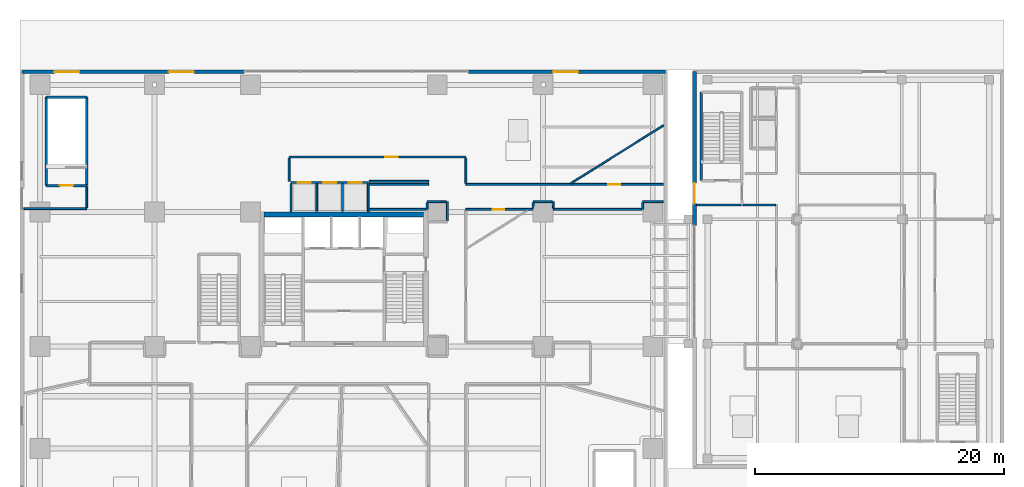
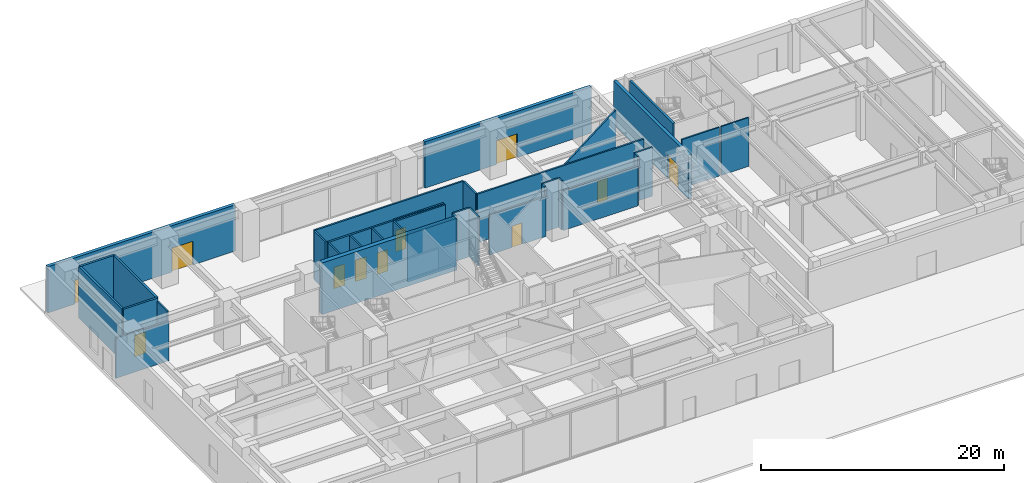
# One storey, part 21 of 28: 36 walls, 11 doors, 11 openings.
"""IFC4 building model written with IfcOpenShell, lengths in metres."""

from ifc_helpers import new_model, si_unit, direction, frame, frame_2d, origin, place, context, subcontext, project, spatial, rectangle, extrude, source, transform, mapped, material, layer, layer_set, type_object, type_shapes, element, fill, save


model = new_model("IFC4")

# Units and contexts
model_context = context("Model", 3, precision=1e-05, world=origin(), true_north=direction((0.0, 1.0)))
body_context = subcontext(model_context, "Body", "Model", "MODEL_VIEW")
ifc_project = project(units=[si_unit("LENGTHUNIT", "METRE"), si_unit("AREAUNIT", "SQUARE_METRE"), si_unit("VOLUMEUNIT", "CUBIC_METRE"), si_unit("PLANEANGLEUNIT", "RADIAN"), si_unit("MASSUNIT", "GRAM", prefix="KILO")], contexts=[model_context])

# Site, building, storey
site_placement = place(None, origin())
site = spatial("IfcSite", under=ifc_project, at=site_placement, CompositionType="ELEMENT")
building_placement = place(site_placement, origin())
building = spatial("IfcBuilding", under=site, at=building_placement, Name="Talar Marvaseh", CompositionType="ELEMENT")
storey_placement = place(building_placement, origin())
storey = spatial("IfcBuildingStorey", under=building, at=storey_placement, Name="L00", CompositionType="ELEMENT", Elevation=0.0)

# Wall, openings, doors
ifc_material_1 = material(Name="Precast concrete C45/55", Category="concrete")
ifc_layer_1 = layer(ifc_material_1, 0.31005859375)
ifc_layer_set_1 = layer_set([ifc_layer_1], Name="Precast concrete C45/55")
wall_type_1 = type_object("IfcWallType", Name="Architectural Precast Limestone Podium Facade Wall 310", PredefinedType="SOLIDWALL", material=ifc_layer_set_1)
wall_1_placement = place(storey_placement, frame((0.159912109375, 47.840087890625, 0.0), z_axis=(0.0, 0.0, 1.0), x_axis=(1.0, 0.0, 0.0)))
wall_1 = element("IfcWall", 1, at=wall_1_placement, inside=storey, type_object=wall_type_1, Name="L00 Podium North-West Facade Wall", PredefinedType="SOLIDWALL", context=body_context, shape_type="SweptSolid", body=[
    extrude(rectangle(XDim=17.840087890625, YDim=0.31005859375, at=frame_2d((8.919921875, 0.0))), origin(), (0.0, 0.0, 1.0), 4.64990234375),
])
opening_1_placement = place(wall_1_placement, frame((2.60009765625, 0.0, 0.0)))
opening_1 = element("IfcOpeningElement", 2, at=opening_1_placement, cuts=wall_1, Name="Opening DR-EXT20", PredefinedType="OPENING", context=body_context, shape_type="SweptSolid", body=[
    extrude(rectangle(XDim=2.0, YDim=2.39990234375, at=frame_2d((1.0, 1.199951171875))), frame((0.0, 0.1650390625, 0.0), z_axis=(0.0, -1.0, 0.0), x_axis=(1.0, 0.0, 0.0)), (0.0, 0.0, 1.0), 0.330078125),
])
opening_2_placement = place(wall_1_placement, frame((11.800048828125, 0.0, 0.0)))
opening_2 = element("IfcOpeningElement", 3, at=opening_2_placement, cuts=wall_1, Name="Opening DR-EXT20", PredefinedType="OPENING", context=body_context, shape_type="SweptSolid", body=[
    extrude(rectangle(XDim=2.0, YDim=2.39990234375, at=frame_2d((1.0, 1.199951171875))), frame((0.0, 0.1650390625, 0.0), z_axis=(0.0, -1.0, 0.0), x_axis=(1.0, 0.0, 0.0)), (0.0, 0.0, 1.0), 0.330078125),
])
ifc_material_2 = material(Name="Architectural Aluminium", Category="aluminium")
door_type_1 = type_object("IfcDoorType", Name="Ground Plaza Double Egress Entrance Door 2000x2400", OperationType="NOTDEFINED", PredefinedType="DOOR", material=ifc_material_2)
shared_shape_1 = source(origin(), body_context, "Body", "SweptSolid", [
    extrude(rectangle(XDim=2.0, YDim=2.39990234375, at=frame_2d((1.0, 1.199951171875))), frame((0.0, 0.02490234375, 0.0), z_axis=(0.0, -1.0, 0.0), x_axis=(1.0, 0.0, 0.0)), (0.0, 0.0, 1.0), 0.050048828125),
])
type_shapes(door_type_1, [shared_shape_1])
door_1_placement = place(opening_1_placement, origin())
door_1 = element("IfcDoor", 4, at=door_1_placement, inside=storey, type_object=door_type_1, Name="L00 Metro Station North-West Final Exit Door", OperationType="DOUBLE_DOOR_SINGLE_SWING", OverallHeight=2.39990234375, OverallWidth=2.0, PredefinedType="DOOR", context=body_context, shape_type="MappedRepresentation", body=[
    mapped(shared_shape_1, transform((0.0, 0.0, 0.0), x_axis=(1.0, 0.0, 0.0), y_axis=(0.0, 1.0, 0.0), z_axis=(0.0, 0.0, 1.0), scale=1.0)),
])
fill(opening_1, door_1)
door_2_placement = place(opening_2_placement, origin())
door_2 = element("IfcDoor", 5, at=door_2_placement, inside=storey, type_object=door_type_1, Name="L00 North Promenade Entrance Exit Door", OperationType="DOUBLE_DOOR_SINGLE_SWING", OverallHeight=2.39990234375, OverallWidth=2.0, PredefinedType="DOOR", context=body_context, shape_type="MappedRepresentation", body=[
    mapped(shared_shape_1, transform((0.0, 0.0, 0.0), x_axis=(1.0, 0.0, 0.0), y_axis=(0.0, 1.0, 0.0), z_axis=(0.0, 0.0, 1.0), scale=1.0)),
])
fill(opening_2, door_2)

# Wall, opening, door
wall_2_placement = place(storey_placement, frame((36.0, 47.840087890625, 0.0), z_axis=(0.0, 0.0, 1.0), x_axis=(1.0, 0.0, 0.0)))
wall_2 = element("IfcWall", 6, at=wall_2_placement, inside=storey, type_object=wall_type_1, Name="L00 Podium North-East Facade Wall", PredefinedType="SOLIDWALL", context=body_context, shape_type="SweptSolid", body=[
    extrude(rectangle(XDim=15.840087890625, YDim=0.31005859375, at=frame_2d((7.919921875, 0.0))), origin(), (0.0, 0.0, 1.0), 4.64990234375),
])
opening_3_placement = place(wall_2_placement, frame((6.800048828125, 0.0, 0.0)))
opening_3 = element("IfcOpeningElement", 7, at=opening_3_placement, cuts=wall_2, Name="Opening DR-EXT20", PredefinedType="OPENING", context=body_context, shape_type="SweptSolid", body=[
    extrude(rectangle(XDim=2.0, YDim=2.39990234375, at=frame_2d((1.0, 1.199951171875))), frame((0.0, 0.1650390625, 0.0), z_axis=(0.0, -1.0, 0.0), x_axis=(1.0, 0.0, 0.0)), (0.0, 0.0, 1.0), 0.330078125),
])
door_3_placement = place(opening_3_placement, origin())
door_3 = element("IfcDoor", 8, at=door_3_placement, inside=storey, type_object=door_type_1, Name="L00 North-East Concourse Plaza Exit Door", OperationType="DOUBLE_DOOR_SINGLE_SWING", OverallHeight=2.39990234375, OverallWidth=2.0, PredefinedType="DOOR", context=body_context, shape_type="MappedRepresentation", body=[
    mapped(shared_shape_1, transform((0.0, 0.0, 0.0), x_axis=(1.0, 0.0, 0.0), y_axis=(0.0, 1.0, 0.0), z_axis=(0.0, 0.0, 1.0), scale=1.0)),
])
fill(opening_3, door_3)

ifc_material_3 = material(Name="Gypsum Board Partition Assembly")
ifc_layer_2 = layer(ifc_material_3, 0.155029296875)
ifc_layer_set_2 = layer_set([ifc_layer_2], Name="Gypsum Board Partition Assembly")
wall_type_2 = type_object("IfcWallType", Name="Corridor Fire-Rated Acoustic Partition 155", PredefinedType="PARTITIONING", material=ifc_layer_set_2)
wall_3_placement = place(storey_placement, frame((21.60009765625, 41.0, 0.0), z_axis=(0.0, 0.0, 1.0), x_axis=(1.0, 0.0, 0.0)))
wall_3 = element("IfcWall", 9, at=wall_3_placement, inside=storey, type_object=wall_type_2, Name="L00 Interior Partition Wall", PredefinedType="PARTITIONING", context=body_context, shape_type="SweptSolid", body=[
    extrude(rectangle(XDim=14.199951171875, YDim=0.155029296875, at=frame_2d((7.10009765625, 0.0))), origin(), (0.0, 0.0, 1.0), 4.89990234375),
])
opening_4_placement = place(wall_3_placement, frame((7.736083984375, 0.0, 0.0)))
opening_4 = element("IfcOpeningElement", 10, at=opening_4_placement, cuts=wall_3, Name="Opening DR-RM100", PredefinedType="OPENING", context=body_context, shape_type="SweptSolid", body=[
    extrude(rectangle(XDim=1.0, YDim=2.14990234375, at=frame_2d((0.5, 1.074951171875))), frame((0.0, 0.08740234375, 0.0), z_axis=(0.0, -1.0, 0.0), x_axis=(1.0, 0.0, 0.0)), (0.0, 0.0, 1.0), 0.175048828125),
])
ifc_material_4 = material(Name="Acoustic Engineered Oak Timber", Category="wood")
door_type_2 = type_object("IfcDoorType", Name="Corridor Fire-Rated Gallery Door 1000x2150", OperationType="NOTDEFINED", PredefinedType="DOOR", material=ifc_material_4)
shared_shape_2 = source(origin(), body_context, "Body", "SweptSolid", [
    extrude(rectangle(XDim=1.0, YDim=2.14990234375, at=frame_2d((0.5, 1.074951171875))), frame((0.0, 0.02490234375, 0.0), z_axis=(0.0, -1.0, 0.0), x_axis=(1.0, 0.0, 0.0)), (0.0, 0.0, 1.0), 0.050048828125),
])
type_shapes(door_type_2, [shared_shape_2])
door_4_placement = place(opening_4_placement, origin())
door_4 = element("IfcDoor", 11, at=door_4_placement, inside=storey, type_object=door_type_2, Name="L00 Metro Station Ground Concourse 2 Door", OperationType="SINGLE_SWING_RIGHT", OverallHeight=2.14990234375, OverallWidth=1.0, PredefinedType="DOOR", context=body_context, shape_type="MappedRepresentation", body=[
    mapped(shared_shape_2, transform((0.0, 0.0, 0.0), x_axis=(1.0, 0.0, 0.0), y_axis=(0.0, 1.0, 0.0), z_axis=(0.0, 0.0, 1.0), scale=1.0)),
])
fill(opening_4, door_4)

wall_4_placement = place(storey_placement, frame((35.800048828125, 38.800048828125, 0.0), z_axis=(0.0, 0.0, 1.0), x_axis=(1.0, 0.0, 0.0)))
wall_4 = element("IfcWall", 12, at=wall_4_placement, inside=storey, type_object=wall_type_2, Name="L00 Interior Partition Wall", PredefinedType="PARTITIONING", context=body_context, shape_type="SweptSolid", body=[
    extrude(rectangle(XDim=15.849853515625, YDim=0.155029296875, at=frame_2d((7.9248046875, 0.0))), origin(), (0.0, 0.0, 1.0), 4.89990234375),
])
opening_5_placement = place(wall_4_placement, frame((11.44189453125, 0.0, 0.0)))
opening_5 = element("IfcOpeningElement", 13, at=opening_5_placement, cuts=wall_4, Name="Opening DR-WC095", PredefinedType="OPENING", context=body_context, shape_type="SweptSolid", body=[
    extrude(rectangle(XDim=0.949951171875, YDim=2.14990234375, at=frame_2d((0.47509765625, 1.074951171875))), frame((0.0, 0.08740234375, 0.0), z_axis=(0.0, -1.0, 0.0), x_axis=(1.0, 0.0, 0.0)), (0.0, 0.0, 1.0), 0.175048828125),
])
door_type_3 = type_object("IfcDoorType", Name="Washroom and Service Room Door 950x2150", OperationType="NOTDEFINED", PredefinedType="DOOR", material=ifc_material_4)
shared_shape_3 = source(origin(), body_context, "Body", "SweptSolid", [
    extrude(rectangle(XDim=0.949951171875, YDim=2.14990234375, at=frame_2d((0.47509765625, 1.074951171875))), frame((0.0, 0.02490234375, 0.0), z_axis=(0.0, -1.0, 0.0), x_axis=(1.0, 0.0, 0.0)), (0.0, 0.0, 1.0), 0.050048828125),
])
type_shapes(door_type_3, [shared_shape_3])
door_5_placement = place(opening_5_placement, origin())
door_5 = element("IfcDoor", 14, at=door_5_placement, inside=storey, type_object=door_type_3, Name="L00 Goods Receiving and Loading Bay Door", OperationType="SINGLE_SWING_RIGHT", OverallHeight=2.14990234375, OverallWidth=0.949951171875, PredefinedType="DOOR", context=body_context, shape_type="MappedRepresentation", body=[
    mapped(shared_shape_3, transform((0.0, 0.0, 0.0), x_axis=(1.0, 0.0, 0.0), y_axis=(0.0, 1.0, 0.0), z_axis=(0.0, 0.0, 1.0), scale=1.0)),
])
fill(opening_5, door_5)

wall_5_placement = place(storey_placement, frame((41.18505859375, 36.800048828125, 0.0), z_axis=(0.0, 0.0, 1.0), x_axis=(-1.0, 0.0, 0.0)))
wall_5 = element("IfcWall", 15, at=wall_5_placement, inside=storey, type_object=wall_type_2, Name="L00 Interior Partition Wall", PredefinedType="PARTITIONING", context=body_context, shape_type="SweptSolid", body=[
    extrude(rectangle(XDim=5.385009765625, YDim=0.155029296875, at=frame_2d((2.6923828125, 0.0))), origin(), (0.0, 0.0, 1.0), 4.02001953125),
])
opening_6_placement = place(wall_5_placement, frame((2.298583984375, 0.0, 0.0)))
opening_6 = element("IfcOpeningElement", 16, at=opening_6_placement, cuts=wall_5, Name="Opening DR-WC095", PredefinedType="OPENING", context=body_context, shape_type="SweptSolid", body=[
    extrude(rectangle(XDim=0.949951171875, YDim=2.14990234375, at=frame_2d((0.47509765625, 1.074951171875))), frame((0.0, 0.08740234375, 0.0), z_axis=(0.0, -1.0, 0.0), x_axis=(1.0, 0.0, 0.0)), (0.0, 0.0, 1.0), 0.175048828125),
])
door_6_placement = place(opening_6_placement, origin())
door_6 = element("IfcDoor", 17, at=door_6_placement, inside=storey, type_object=door_type_3, Name="L00 WC Public Washrooms Door", OperationType="SINGLE_SWING_LEFT", OverallHeight=2.14990234375, OverallWidth=0.949951171875, PredefinedType="DOOR", context=body_context, shape_type="MappedRepresentation", body=[
    mapped(shared_shape_3, transform((0.0, 0.0, 0.0), x_axis=(1.0, 0.0, 0.0), y_axis=(0.0, 1.0, 0.0), z_axis=(0.0, 0.0, 1.0), scale=1.0)),
])
fill(opening_6, door_6)

# Walls
wall_6_placement = place(storey_placement, frame((0.31005859375, 36.85009765625, 0.0), z_axis=(0.0, 0.0, 1.0), x_axis=(1.0, 0.0, 0.0)))
element("IfcWall", 18, at=wall_6_placement, inside=storey, type_object=wall_type_2, Name="L00 Interior Partition Wall", PredefinedType="PARTITIONING", context=body_context, shape_type="SweptSolid", body=[
    extrude(rectangle(XDim=5.050048828125, YDim=0.155029296875, at=frame_2d((2.52490234375, 0.0))), origin(), (0.0, 0.0, 1.0), 4.02001953125),
])
wall_7_placement = place(storey_placement, frame((5.360107421875, 36.93359375, 0.0), z_axis=(0.0, 0.0, 1.0), x_axis=(0.0, 1.0, 0.0)))
element("IfcWall", 19, at=wall_7_placement, inside=storey, type_object=wall_type_2, Name="L00 Interior Partition Wall", PredefinedType="PARTITIONING", context=body_context, shape_type="SweptSolid", body=[
    extrude(rectangle(XDim=1.660400390625, YDim=0.155029296875, at=frame_2d((0.830078125, 0.0))), origin(), (0.0, 0.0, 1.0), 4.89990234375),
])
wall_8_placement = place(storey_placement, frame((34.310791015625, 35.872802734375, 0.0), z_axis=(0.0, 0.0, 1.0), x_axis=(0.000476644369, 0.999999886405, 0.0)))
element("IfcWall", 20, at=wall_8_placement, inside=storey, type_object=wall_type_2, Name="L00 Interior Partition Wall", PredefinedType="PARTITIONING", context=body_context, shape_type="SweptSolid", body=[
    extrude(rectangle(XDim=1.53662109375, YDim=0.155029296875, at=frame_2d((0.768310546875, 0.0))), origin(), (0.0, 0.0, 1.0), 4.89990234375),
])
wall_9_placement = place(storey_placement, frame((34.22802734375, 37.40966796875, 0.0), z_axis=(0.0, 0.0, 1.0), x_axis=(-0.999996338411, 0.002706134631, 0.0)))
element("IfcWall", 21, at=wall_9_placement, inside=storey, type_object=wall_type_2, Name="L00 Interior Partition Wall", PredefinedType="PARTITIONING", context=body_context, shape_type="SweptSolid", body=[
    extrude(rectangle(XDim=1.53369140625, YDim=0.155029296875, at=frame_2d((0.766845703125, 0.0))), origin(), (0.0, 0.0, 1.0), 4.89990234375),
])
wall_10_placement = place(storey_placement, frame((32.693115234375, 37.330322265625, 0.0), z_axis=(0.0, 0.0, 1.0), x_axis=(-0.015191616862, -0.99988460073, 0.0)))
element("IfcWall", 22, at=wall_10_placement, inside=storey, type_object=wall_type_2, Name="L00 Interior Partition Wall", PredefinedType="PARTITIONING", context=body_context, shape_type="SweptSolid", body=[
    extrude(rectangle(XDim=0.5302734375, YDim=0.155029296875, at=frame_2d((0.26513671875, 0.0))), origin(), (0.0, 0.0, 1.0), 4.89990234375),
])
wall_11_placement = place(storey_placement, frame((32.6015625, 36.800048828125, 0.0), z_axis=(0.0, 0.0, 1.0), x_axis=(-1.0, 0.0, 0.0)))
element("IfcWall", 23, at=wall_11_placement, inside=storey, type_object=wall_type_2, Name="L00 Interior Partition Wall", PredefinedType="PARTITIONING", context=body_context, shape_type="SweptSolid", body=[
    extrude(rectangle(XDim=4.571533203125, YDim=0.155029296875, at=frame_2d((2.28564453125, 0.0))), origin(), (0.0, 0.0, 1.0), 4.89990234375),
])
for number, where, z_axis, x_axis, name in (
    (24, (28.030029296875, 38.800048828125, 0.0), (0.0, 0.0, 1.0), (1.0, 0.0, 0.0), "L00 Interior Partition Wall"),
    (25, (32.800048828125, 39.0400390625, 0.0), (0.0, 0.0, 1.0), (-1.0, 0.0, 0.0), "L00 Interior Partition Wall"),
):
    element("IfcWall", number, at=place(storey_placement, frame(where, z_axis=z_axis, x_axis=x_axis)), inside=storey, type_object=wall_type_2, Name=name, PredefinedType="PARTITIONING", context=body_context, shape_type="SweptSolid", body=[
        extrude(rectangle(XDim=4.77001953125, YDim=0.155029296875, at=frame_2d((2.385009765625, 0.0))), origin(), (0.0, 0.0, 1.0), 4.89990234375),
    ])
wall_12_placement = place(storey_placement, frame((21.60009765625, 39.0400390625, 0.0), z_axis=(0.0, 0.0, 1.0), x_axis=(0.0, 1.0, 0.0)))
element("IfcWall", 26, at=wall_12_placement, inside=storey, type_object=wall_type_2, Name="L00 Interior Partition Wall", PredefinedType="PARTITIONING", context=body_context, shape_type="SweptSolid", body=[
    extrude(rectangle(XDim=1.87646484375, YDim=0.155029296875, at=frame_2d((0.938232421875, 0.0))), origin(), (0.0, 0.0, 1.0), 4.89990234375),
])
wall_13_placement = place(storey_placement, frame((35.800048828125, 40.91650390625, 0.0), z_axis=(0.0, 0.0, 1.0), x_axis=(0.0, -1.0, 0.0)))
element("IfcWall", 27, at=wall_13_placement, inside=storey, type_object=wall_type_2, Name="L00 Interior Partition Wall", PredefinedType="PARTITIONING", context=body_context, shape_type="SweptSolid", body=[
    extrude(rectangle(XDim=2.032958984375, YDim=0.155029296875, at=frame_2d((1.0166015625, 0.0))), origin(), (0.0, 0.0, 1.0), 4.89990234375),
])
wall_14_placement = place(storey_placement, frame((51.64990234375, 37.4150390625, 0.0), z_axis=(0.0, 0.0, 1.0), x_axis=(-0.999999728154, -0.000737354172, 0.0)))
element("IfcWall", 28, at=wall_14_placement, inside=storey, type_object=wall_type_2, Name="L00 Interior Partition Wall", PredefinedType="PARTITIONING", context=body_context, shape_type="SweptSolid", body=[
    extrude(rectangle(XDim=1.655517578125, YDim=0.155029296875, at=frame_2d((0.82763671875, 0.0))), origin(), (0.0, 0.0, 1.0), 4.89990234375),
])
wall_15_placement = place(storey_placement, frame((49.992919921875, 37.330322265625, 0.0), z_axis=(0.0, 0.0, 1.0), x_axis=(-0.014731366299, -0.999891487536, 0.0)))
element("IfcWall", 29, at=wall_15_placement, inside=storey, type_object=wall_type_2, Name="L00 Interior Partition Wall", PredefinedType="PARTITIONING", context=body_context, shape_type="SweptSolid", body=[
    extrude(rectangle(XDim=0.5302734375, YDim=0.155029296875, at=frame_2d((0.26513671875, 0.0))), origin(), (0.0, 0.0, 1.0), 4.89990234375),
])
wall_16_placement = place(storey_placement, frame((49.901611328125, 36.800048828125, 0.0), z_axis=(0.0, 0.0, 1.0), x_axis=(-1.0, 0.0, 0.0)))
element("IfcWall", 30, at=wall_16_placement, inside=storey, type_object=wall_type_2, Name="L00 Interior Partition Wall", PredefinedType="PARTITIONING", context=body_context, shape_type="SweptSolid", body=[
    extrude(rectangle(XDim=7.086669921875, YDim=0.155029296875, at=frame_2d((3.54345703125, 0.0))), origin(), (0.0, 0.0, 1.0), 4.02001953125),
])
wall_17_placement = place(storey_placement, frame((42.81298828125, 36.883544921875, 0.0), z_axis=(0.0, 0.0, 1.0), x_axis=(-0.024338217928, 0.999703781701, 0.0)))
element("IfcWall", 31, at=wall_17_placement, inside=storey, type_object=wall_type_2, Name="L00 Interior Partition Wall", PredefinedType="PARTITIONING", context=body_context, shape_type="SweptSolid", body=[
    extrude(rectangle(XDim=0.53173828125, YDim=0.155029296875, at=frame_2d((0.265869140625, 0.0))), origin(), (0.0, 0.0, 1.0), 4.89990234375),
])
wall_18_placement = place(storey_placement, frame((42.716552734375, 37.414794921875, 0.0), z_axis=(0.0, 0.0, 1.0), x_axis=(-0.999999794213, -0.000641539563, 0.0)))
element("IfcWall", 32, at=wall_18_placement, inside=storey, type_object=wall_type_2, Name="L00 Interior Partition Wall", PredefinedType="PARTITIONING", context=body_context, shape_type="SweptSolid", body=[
    extrude(rectangle(XDim=1.522216796875, YDim=0.155029296875, at=frame_2d((0.76123046875, 0.0))), origin(), (0.0, 0.0, 1.0), 4.89990234375),
])
wall_19_placement = place(storey_placement, frame((41.193115234375, 37.330322265625, 0.0), z_axis=(0.0, 0.0, 1.0), x_axis=(-0.015298755782, -0.999882967187, 0.0)))
element("IfcWall", 33, at=wall_19_placement, inside=storey, type_object=wall_type_2, Name="L00 Interior Partition Wall", PredefinedType="PARTITIONING", context=body_context, shape_type="SweptSolid", body=[
    extrude(rectangle(XDim=0.44677734375, YDim=0.155029296875, at=frame_2d((0.223388671875, 0.0))), origin(), (0.0, 0.0, 1.0), 4.89990234375),
])
ifc_layer_3 = layer(ifc_material_1, 0.14501953125)
ifc_layer_set_3 = layer_set([ifc_layer_3], Name="Precast concrete C45/55")
wall_type_3 = type_object("IfcWallType", Name="Fire-Rated Lift Divider Wall 145", PredefinedType="SOLIDWALL", material=ifc_layer_set_3)
for number, where, z_axis, x_axis, name in (
    (34, (21.760009765625, 36.60009765625, 0.0), (0.0, 0.0, 1.0), (0.0, 1.0, 0.0), "L00 Low-Rise Bank West Wall"),
    (35, (27.9599609375, 36.60009765625, 0.0), (0.0, 0.0, 1.0), (0.0, 1.0, 0.0), "L00 Low-Rise Bank East Wall"),
):
    element("IfcWall", number, at=place(storey_placement, frame(where, z_axis=z_axis, x_axis=x_axis)), inside=storey, type_object=wall_type_3, Name=name, PredefinedType="SOLIDWALL", context=body_context, shape_type="SweptSolid", body=[
        extrude(rectangle(XDim=2.266357421875, YDim=0.14501953125, at=frame_2d((1.13330078125, 0.0))), origin(), (0.0, 0.0, 1.0), 4.89990234375),
    ])
for number, where, z_axis, x_axis, name in (
    (36, (23.830078125, 36.659912109375, 0.0), (0.0, 0.0, 1.0), (0.0, 1.0, 0.0), "L00 PL-L1/PL-L2 Divider"),
    (37, (25.889892578125, 36.659912109375, 0.0), (0.0, 0.0, 1.0), (0.0, 1.0, 0.0), "L00 PL-L2/PL-L3 Divider"),
):
    element("IfcWall", number, at=place(storey_placement, frame(where, z_axis=z_axis, x_axis=x_axis)), inside=storey, type_object=wall_type_3, Name=name, PredefinedType="SOLIDWALL", context=body_context, shape_type="SweptSolid", body=[
        extrude(rectangle(XDim=2.20654296875, YDim=0.14501953125, at=frame_2d((1.103271484375, 0.0))), origin(), (0.0, 0.0, 1.0), 4.89990234375),
    ])

# Wall, openings, doors
ifc_layer_4 = layer(ifc_material_1, 0.175048828125)
ifc_layer_set_4 = layer_set([ifc_layer_4], Name="Precast concrete C45/55")
wall_type_4 = type_object("IfcWallType", Name="Fire-Rated Lift Hoistway Enclosure Wall 175", PredefinedType="SOLIDWALL", material=ifc_layer_set_4)
wall_20_placement = place(storey_placement, frame((21.760009765625, 38.9599609375, 0.0), z_axis=(0.0, 0.0, 1.0), x_axis=(1.0, 0.0, 0.0)))
wall_20 = element("IfcWall", 38, at=wall_20_placement, inside=storey, type_object=wall_type_4, Name="L00 Low-Rise Lift Bank Front Wall", PredefinedType="SOLIDWALL", context=body_context, shape_type="SweptSolid", body=[
    extrude(rectangle(XDim=6.199951171875, YDim=0.175048828125, at=frame_2d((3.10009765625, 0.0))), origin(), (0.0, 0.0, 1.0), 4.89990234375),
])
opening_7_placement = place(wall_20_placement, frame((0.52001953125, 0.0, 0.0)))
opening_7 = element("IfcOpeningElement", 39, at=opening_7_placement, cuts=wall_20, Name="Opening LD-PLL1", PredefinedType="OPENING", context=body_context, shape_type="SweptSolid", body=[
    extrude(rectangle(XDim=1.050048828125, YDim=2.14990234375, at=frame_2d((0.52490234375, 1.074951171875))), frame((0.0, 0.09765625, 0.0), z_axis=(0.0, -1.0, 0.0), x_axis=(1.0, 0.0, 0.0)), (0.0, 0.0, 1.0), 0.195068359375),
])
opening_8_placement = place(wall_20_placement, frame((2.580078125, 0.0, 0.0)))
opening_8 = element("IfcOpeningElement", 40, at=opening_8_placement, cuts=wall_20, Name="Opening LD-PLL2", PredefinedType="OPENING", context=body_context, shape_type="SweptSolid", body=[
    extrude(rectangle(XDim=1.050048828125, YDim=2.14990234375, at=frame_2d((0.52490234375, 1.074951171875))), frame((0.0, 0.09765625, 0.0), z_axis=(0.0, -1.0, 0.0), x_axis=(1.0, 0.0, 0.0)), (0.0, 0.0, 1.0), 0.195068359375),
])
opening_9_placement = place(wall_20_placement, frame((4.639892578125, 0.0, 0.0)))
opening_9 = element("IfcOpeningElement", 41, at=opening_9_placement, cuts=wall_20, Name="Opening LD-PLL3", PredefinedType="OPENING", context=body_context, shape_type="SweptSolid", body=[
    extrude(rectangle(XDim=1.050048828125, YDim=2.14990234375, at=frame_2d((0.52490234375, 1.074951171875))), frame((0.0, 0.09765625, 0.0), z_axis=(0.0, -1.0, 0.0), x_axis=(1.0, 0.0, 0.0)), (0.0, 0.0, 1.0), 0.195068359375),
])
ifc_material_5 = material(Name="Stainless Steel Grade 316", Category="steel")
door_type_4 = type_object("IfcDoorType", Name="Automatic Sliding Lift Landing Door 1050x2150", OperationType="NOTDEFINED", PredefinedType="DOOR", material=ifc_material_5)
shared_shape_4 = source(origin(), body_context, "Body", "SweptSolid", [
    extrude(rectangle(XDim=1.050048828125, YDim=2.14990234375, at=frame_2d((0.52490234375, 1.074951171875))), frame((0.0, 0.02490234375, 0.0), z_axis=(0.0, -1.0, 0.0), x_axis=(1.0, 0.0, 0.0)), (0.0, 0.0, 1.0), 0.050048828125),
])
type_shapes(door_type_4, [shared_shape_4])
door_7_placement = place(opening_7_placement, origin())
door_7 = element("IfcDoor", 42, at=door_7_placement, inside=storey, type_object=door_type_4, Name="L00 Lift PL-L1 Sliding Landing Door", OperationType="SLIDING_TO_LEFT", OverallHeight=2.14990234375, OverallWidth=1.050048828125, PredefinedType="DOOR", context=body_context, shape_type="MappedRepresentation", body=[
    mapped(shared_shape_4, transform((0.0, 0.0, 0.0), x_axis=(1.0, 0.0, 0.0), y_axis=(0.0, 1.0, 0.0), z_axis=(0.0, 0.0, 1.0), scale=1.0)),
])
fill(opening_7, door_7)
door_8_placement = place(opening_8_placement, origin())
door_8 = element("IfcDoor", 43, at=door_8_placement, inside=storey, type_object=door_type_4, Name="L00 Lift PL-L2 Sliding Landing Door", OperationType="SLIDING_TO_LEFT", OverallHeight=2.14990234375, OverallWidth=1.050048828125, PredefinedType="DOOR", context=body_context, shape_type="MappedRepresentation", body=[
    mapped(shared_shape_4, transform((0.0, 0.0, 0.0), x_axis=(1.0, 0.0, 0.0), y_axis=(0.0, 1.0, 0.0), z_axis=(0.0, 0.0, 1.0), scale=1.0)),
])
fill(opening_8, door_8)
door_9_placement = place(opening_9_placement, origin())
door_9 = element("IfcDoor", 44, at=door_9_placement, inside=storey, type_object=door_type_4, Name="L00 Lift PL-L3 Sliding Landing Door", OperationType="SLIDING_TO_LEFT", OverallHeight=2.14990234375, OverallWidth=1.050048828125, PredefinedType="DOOR", context=body_context, shape_type="MappedRepresentation", body=[
    mapped(shared_shape_4, transform((0.0, 0.0, 0.0), x_axis=(1.0, 0.0, 0.0), y_axis=(0.0, 1.0, 0.0), z_axis=(0.0, 0.0, 1.0), scale=1.0)),
])
fill(opening_9, door_9)

# Walls
ifc_layer_5 = layer(ifc_material_3, 0.135009765625)
ifc_layer_set_5 = layer_set([ifc_layer_5], Name="Gypsum Board Partition Assembly")
wall_type_5 = type_object("IfcWallType", Name="Gallery High-Acoustic Partition 135", PredefinedType="PARTITIONING", material=ifc_layer_set_5)
wall_21_placement = place(storey_placement, frame((44.2138671875, 38.883544921875, 0.0), z_axis=(0.0, 0.0, 1.0), x_axis=(0.848306312207, 0.529505807966, 0.0)))
element("IfcWall", 45, at=wall_21_placement, inside=storey, type_object=wall_type_5, Name="L00 Interior Partition Wall", PredefinedType="PARTITIONING", context=body_context, shape_type="SweptSolid", body=[
    extrude(rectangle(XDim=8.81298828125, YDim=0.135009765625, at=frame_2d((4.406494140625, 0.0))), origin(), (0.0, 0.0, 1.0), 4.89990234375),
])
wall_22_placement = place(storey_placement, frame((54.300048828125, 37.14990234375, 0.0), z_axis=(0.0, 0.0, 1.0), x_axis=(1.0, 0.0, 0.0)))
element("IfcWall", 46, at=wall_22_placement, inside=storey, type_object=wall_type_5, Name="L00 Interior Partition Wall", PredefinedType="PARTITIONING", context=body_context, shape_type="SweptSolid", body=[
    extrude(rectangle(XDim=3.58642578125, YDim=0.135009765625, at=frame_2d((1.793212890625, 0.0))), origin(), (0.0, 0.0, 1.0), 4.89990234375),
])
wall_23_placement = place(storey_placement, frame((60.66650390625, 37.14990234375, 0.0), z_axis=(0.0, 0.0, 1.0), x_axis=(-1.0, 0.0, 0.0)))
element("IfcWall", 47, at=wall_23_placement, inside=storey, type_object=wall_type_5, Name="L00 Interior Partition Wall", PredefinedType="PARTITIONING", context=body_context, shape_type="SweptSolid", body=[
    extrude(rectangle(XDim=2.636474609375, YDim=0.135009765625, at=frame_2d((1.318359375, 0.0))), origin(), (0.0, 0.0, 1.0), 4.89990234375),
])
ifc_material_6 = material(Name="Concrete C70/85", Category="concrete")
ifc_layer_6 = layer(ifc_material_6, 0.39990234375)
ifc_layer_set_6 = layer_set([ifc_layer_6], Name="Concrete C70/85")
wall_type_6 = type_object("IfcWallType", Name="Lower Core Reinforced Concrete Shear Wall 400", PredefinedType="SHEAR", material=ifc_layer_set_6)
wall_24_placement = place(storey_placement, frame((19.60009765625, 36.39990234375, 0.0), z_axis=(0.0, 0.0, 1.0), x_axis=(1.0, 0.0, 0.0)))
element("IfcWall", 48, at=wall_24_placement, inside=storey, type_object=wall_type_6, Name="L00 North Core Shear Wall", PredefinedType="SHEAR", context=body_context, shape_type="SweptSolid", body=[
    extrude(rectangle(XDim=12.7998046875, YDim=0.39990234375, at=frame_2d((6.39990234375, 0.0))), origin(), (0.0, 0.0, 1.0), 5.199951171875),
])

# Wall, opening, door
ifc_layer_7 = layer(ifc_material_1, 0.2900390625)
ifc_layer_set_7 = layer_set([ifc_layer_7], Name="Precast concrete C45/55")
wall_type_7 = type_object("IfcWallType", Name="Market Hall Precast Limestone Bazaar Wall 290", PredefinedType="SOLIDWALL", material=ifc_layer_set_7)
wall_25_placement = place(storey_placement, frame((54.14990234375, 35.5, 0.0), z_axis=(0.0, 0.0, 1.0), x_axis=(0.0, 1.0, 0.0)))
wall_25 = element("IfcWall", 49, at=wall_25_placement, inside=storey, type_object=wall_type_7, Name="L00 Market Hall West-North Wall", PredefinedType="SOLIDWALL", context=body_context, shape_type="SweptSolid", body=[
    extrude(rectangle(XDim=12.35009765625, YDim=0.2900390625, at=frame_2d((6.175048828125, 0.0))), origin(), (0.0, 0.0, 1.0), 4.39990234375),
])
opening_10_placement = place(wall_25_placement, frame((1.75, 0.0, 0.0)))
opening_10 = element("IfcOpeningElement", 50, at=opening_10_placement, cuts=wall_25, Name="Opening DR-EXT17", PredefinedType="OPENING", context=body_context, shape_type="SweptSolid", body=[
    extrude(rectangle(XDim=1.64990234375, YDim=2.35009765625, at=frame_2d((0.824951171875, 1.175048828125))), frame((0.0, 0.155029296875, 0.0), z_axis=(0.0, -1.0, 0.0), x_axis=(1.0, 0.0, 0.0)), (0.0, 0.0, 1.0), 0.31005859375),
])
door_type_5 = type_object("IfcDoorType", Name="Market Passage Double Exit Door 1650x2350", OperationType="NOTDEFINED", PredefinedType="DOOR", material=ifc_material_2)
shared_shape_5 = source(origin(), body_context, "Body", "SweptSolid", [
    extrude(rectangle(XDim=1.64990234375, YDim=2.35009765625, at=frame_2d((0.824951171875, 1.175048828125))), frame((0.0, 0.02490234375, 0.0), z_axis=(0.0, -1.0, 0.0), x_axis=(1.0, 0.0, 0.0)), (0.0, 0.0, 1.0), 0.050048828125),
])
type_shapes(door_type_5, [shared_shape_5])
door_10_placement = place(opening_10_placement, origin())
door_10 = element("IfcDoor", 51, at=door_10_placement, inside=storey, type_object=door_type_5, Name="L00 Market West Passageway Final Exit Door", OperationType="DOUBLE_DOOR_SINGLE_SWING", OverallHeight=2.35009765625, OverallWidth=1.64990234375, PredefinedType="DOOR", context=body_context, shape_type="MappedRepresentation", body=[
    mapped(shared_shape_5, transform((0.0, 0.0, 0.0), x_axis=(1.0, 0.0, 0.0), y_axis=(0.0, 1.0, 0.0), z_axis=(0.0, 0.0, 1.0), scale=1.0)),
])
fill(opening_10, door_10)

ifc_material_7 = material(Name="Concrete C50/60", Category="concrete")
ifc_layer_8 = layer(ifc_material_7, 0.199951171875)
ifc_layer_set_8 = layer_set([ifc_layer_8], Name="Concrete C50/60")
wall_type_8 = type_object("IfcWallType", Name="Stair Shaft Structural Concrete Shear Wall 200", PredefinedType="SHEAR", material=ifc_layer_set_8)
wall_26_placement = place(storey_placement, frame((5.360107421875, 38.699951171875, 0.0), z_axis=(0.0, 0.0, 1.0), x_axis=(-1.0, 0.0, 0.0)))
wall_26 = element("IfcWall", 52, at=wall_26_placement, inside=storey, type_object=wall_type_8, Name="L00 STN-ST1 South Shear Wall", PredefinedType="SHEAR", context=body_context, shape_type="SweptSolid", body=[
    extrude(rectangle(XDim=3.260009765625, YDim=0.199951171875, at=frame_2d((1.6298828125, 0.0))), origin(), (0.0, 0.0, 1.0), 5.199951171875),
])
opening_11_placement = place(wall_26_placement, frame((1.10009765625, 0.0, 0.0)))
opening_11 = element("IfcOpeningElement", 53, at=opening_11_placement, cuts=wall_26, Name="Opening DR-ST105", PredefinedType="OPENING", context=body_context, shape_type="SweptSolid", body=[
    extrude(rectangle(XDim=1.050048828125, YDim=2.14990234375, at=frame_2d((0.52490234375, 1.074951171875))), frame((0.0, 0.10986328125, 0.0), z_axis=(0.0, -1.0, 0.0), x_axis=(1.0, 0.0, 0.0)), (0.0, 0.0, 1.0), 0.219970703125),
])
ifc_material_8 = material(Name="Fire-Rated Steel Door Leaf", Category="steel")
door_type_6 = type_object("IfcDoorType", Name="Protected Exit Stair Fire Door 1050x2150", OperationType="NOTDEFINED", PredefinedType="DOOR", material=ifc_material_8)
shared_shape_6 = source(origin(), body_context, "Body", "SweptSolid", [
    extrude(rectangle(XDim=1.050048828125, YDim=2.14990234375, at=frame_2d((0.52490234375, 1.074951171875))), frame((0.0, 0.02490234375, 0.0), z_axis=(0.0, -1.0, 0.0), x_axis=(1.0, 0.0, 0.0)), (0.0, 0.0, 1.0), 0.050048828125),
])
type_shapes(door_type_6, [shared_shape_6])
door_11_placement = place(opening_11_placement, origin())
door_11 = element("IfcDoor", 54, at=door_11_placement, inside=storey, type_object=door_type_6, Name="L00 STN-ST1 Exit Door", OperationType="SINGLE_SWING_RIGHT", OverallHeight=2.14990234375, OverallWidth=1.050048828125, PredefinedType="DOOR", context=body_context, shape_type="MappedRepresentation", body=[
    mapped(shared_shape_6, transform((0.0, 0.0, 0.0), x_axis=(1.0, 0.0, 0.0), y_axis=(0.0, 1.0, 0.0), z_axis=(0.0, 0.0, 1.0), scale=1.0)),
])
fill(opening_11, door_11)

# Walls
wall_27_placement = place(storey_placement, frame((2.10009765625, 45.800048828125, 0.0), z_axis=(0.0, 0.0, 1.0), x_axis=(1.0, 0.0, 0.0)))
element("IfcWall", 55, at=wall_27_placement, inside=storey, type_object=wall_type_8, Name="L00 STN-ST1 North Shear Wall", PredefinedType="SHEAR", context=body_context, shape_type="SweptSolid", body=[
    extrude(rectangle(XDim=3.260009765625, YDim=0.199951171875, at=frame_2d((1.6298828125, 0.0))), origin(), (0.0, 0.0, 1.0), 5.199951171875),
])
for number, where, z_axis, x_axis, name in (
    (56, (2.10009765625, 38.699951171875, 0.0), (0.0, 0.0, 1.0), (0.0, 1.0, 0.0), "L00 STN-ST1 West Shear Wall"),
    (57, (5.360107421875, 38.699951171875, 0.0), (0.0, 0.0, 1.0), (0.0, 1.0, 0.0), "L00 STN-ST1 East Shear Wall"),
):
    element("IfcWall", number, at=place(storey_placement, frame(where, z_axis=z_axis, x_axis=x_axis)), inside=storey, type_object=wall_type_8, Name=name, PredefinedType="SHEAR", context=body_context, shape_type="SweptSolid", body=[
        extrude(rectangle(XDim=7.10009765625, YDim=0.199951171875, at=frame_2d((3.550048828125, 0.0))), origin(), (0.0, 0.0, 1.0), 5.199951171875),
    ])
wall_28_placement = place(storey_placement, frame((54.699951171875, 39.10009765625, 0.0), z_axis=(0.0, 0.0, 1.0), x_axis=(0.0, 1.0, 0.0)))
element("IfcWall", 58, at=wall_28_placement, inside=storey, type_object=wall_type_8, Name="L00 MH-ST1 West Shear Wall", PredefinedType="SHEAR", context=body_context, shape_type="SweptSolid", body=[
    extrude(rectangle(XDim=7.099853515625, YDim=0.199951171875, at=frame_2d((3.5498046875, 0.0))), origin(), (0.0, 0.0, 1.0), 5.199951171875),
])

save(model, "model.ifc")
